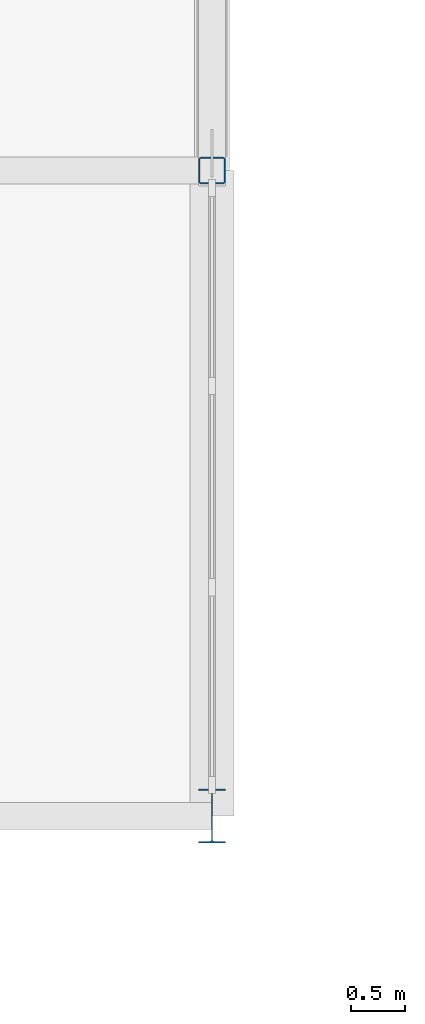
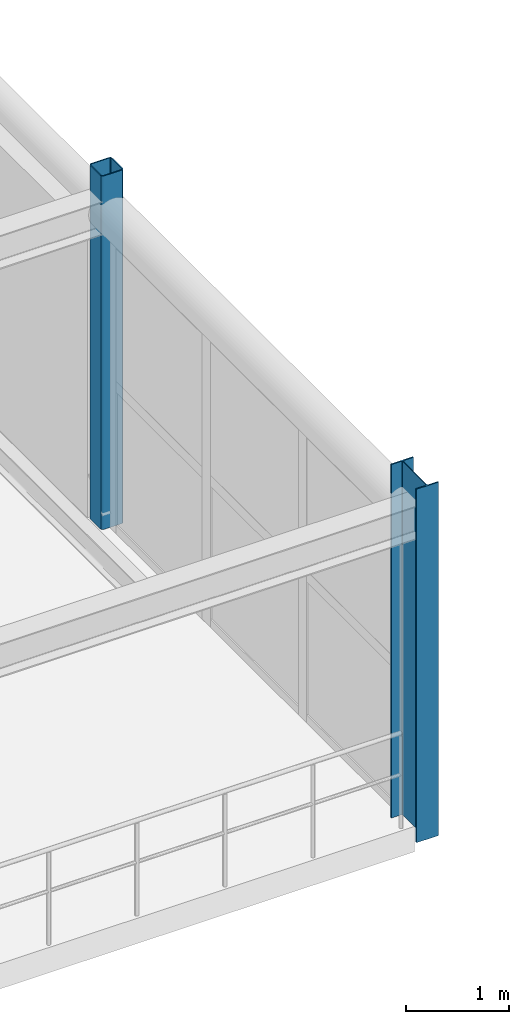
# One storey, part 2 of 83: 2 columns.
"""IFC4 building model written with IfcOpenShell, lengths in metres."""

from ifc_helpers import new_model, si_unit, direction, frame, origin, origin_2d, place, context, subcontext, project, spatial, hollow_rectangle, i_section, extrude, material, material_profile, profile_set, type_object, element, save


model = new_model("IFC4")

# Units and contexts
model_context = context("Model", 3, precision=1e-05, world=origin(), true_north=direction((0.0, 1.0)))
body_context = subcontext(model_context, "Body", "Model", "MODEL_VIEW")
ifc_project = project(units=[si_unit("LENGTHUNIT", "METRE"), si_unit("AREAUNIT", "SQUARE_METRE"), si_unit("VOLUMEUNIT", "CUBIC_METRE"), si_unit("PLANEANGLEUNIT", "RADIAN"), si_unit("MASSUNIT", "GRAM", prefix="KILO")], contexts=[model_context])

# Site, building, storey
site_placement = place(None, origin())
site = spatial("IfcSite", under=ifc_project, at=site_placement, CompositionType="ELEMENT")
building_placement = place(site_placement, origin())
building = spatial("IfcBuilding", under=site, at=building_placement, Name="Varnakota Square Police Headquarters", CompositionType="ELEMENT")
storey_placement = place(building_placement, frame((0.0, 0.0, 18.0)))
storey = spatial("IfcBuildingStorey", under=building, at=storey_placement, Name="L04", CompositionType="ELEMENT", Elevation=18.0)

# Columns
ifc_material = material(Name="Steel IS 2062 Grade 350", Category="steel")
ifc_material_profile_1 = material_profile(ifc_material, i_section(OverallWidth=0.25, OverallDepth=0.5, WebThickness=0.010009765625, FlangeThickness=0.0146484375, FilletRadius=0.014892578125, at=origin_2d()), Name="ISWB 500")
ifc_profile_set_1 = profile_set([ifc_material_profile_1], Name="Steel IS 2062 Grade 350")
column_type_1 = type_object("IfcColumnType", Name="COL-ISWB500", PredefinedType="COLUMN", material=ifc_profile_set_1)
column_1_placement = place(storey_placement, frame((42.0, 21.0, 0.0), z_axis=(0.0, 0.0, 1.0), x_axis=(1.0, 0.0, 0.0)))
element("IfcColumn", 1, at=column_1_placement, inside=storey, type_object=column_type_1, Name="Column X0420-Y0210 L04", PredefinedType="COLUMN", context=body_context, shape_type="SweptSolid", body=[
    extrude(i_section(OverallWidth=0.25, OverallDepth=0.5, WebThickness=0.010009765625, FlangeThickness=0.0146484375, FilletRadius=0.014892578125, at=origin_2d()), origin(), (0.0, 0.0, 1.0), 4.199951171875),
])
ifc_material_profile_2 = material_profile(ifc_material, hollow_rectangle(XDim=0.25, YDim=0.25, WallThickness=0.011962890625, InnerFilletRadius=0.011962890625, OuterFilletRadius=0.02392578125, at=origin_2d()), Name="SHS 250x250x12")
ifc_profile_set_2 = profile_set([ifc_material_profile_2], Name="Steel IS 2062 Grade 350")
column_type_2 = type_object("IfcColumnType", Name="COL-SHS250", PredefinedType="COLUMN", material=ifc_profile_set_2)
column_2_placement = place(storey_placement, frame((42.0, 27.0, 0.0), z_axis=(0.0, 0.0, 1.0), x_axis=(1.0, 0.0, 0.0)))
element("IfcColumn", 2, at=column_2_placement, inside=storey, type_object=column_type_2, Name="Column X0420-Y0270 L04", PredefinedType="COLUMN", context=body_context, shape_type="SweptSolid", body=[
    extrude(hollow_rectangle(XDim=0.25, YDim=0.25, WallThickness=0.011962890625, InnerFilletRadius=0.011962890625, OuterFilletRadius=0.02392578125, at=origin_2d()), origin(), (0.0, 0.0, 1.0), 4.199951171875),
])

save(model, "model.ifc")
